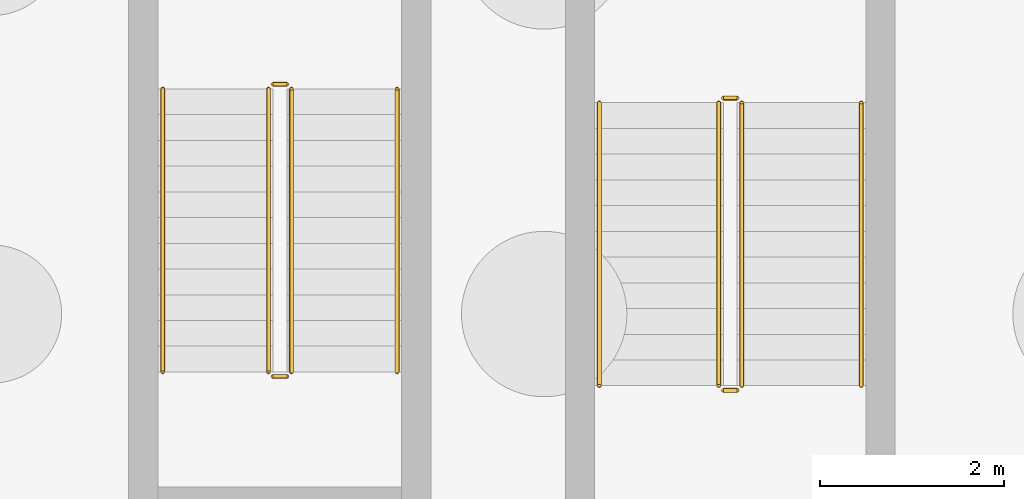
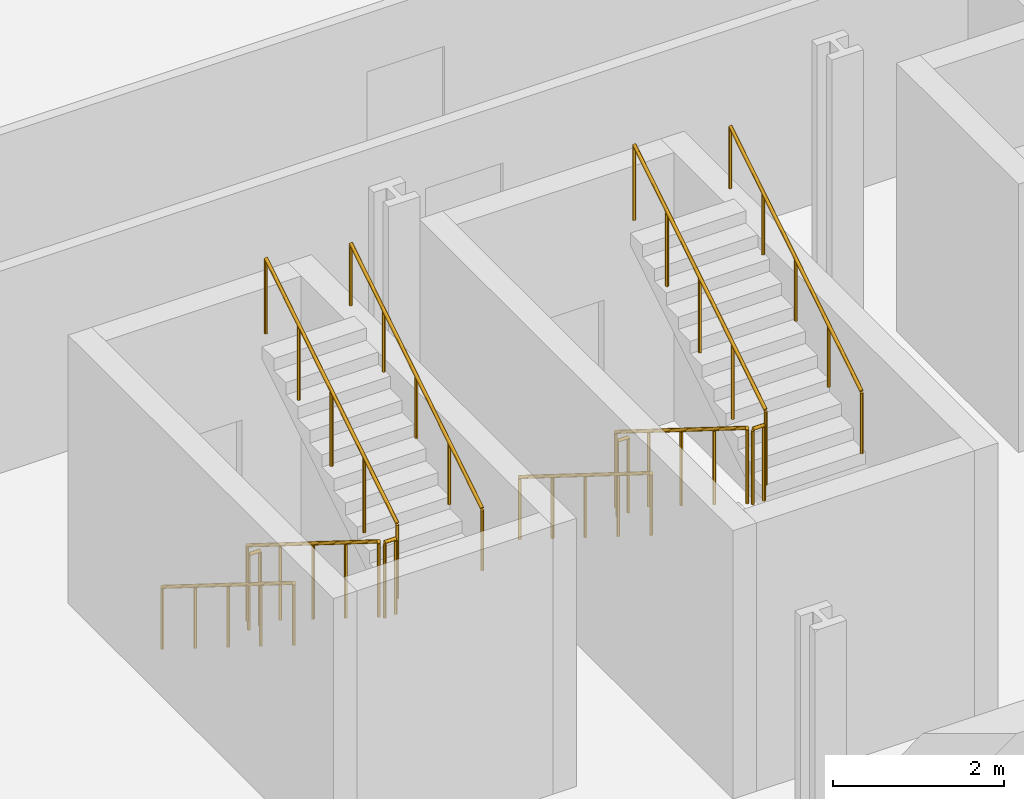
# One storey, part 5 of 7: 12 railings.
"""IFC4 building model written with IfcOpenShell, lengths in metres."""

from ifc_helpers import new_model, si_unit, direction, frame, origin, origin_2d, place, context, subcontext, project, spatial, circle, extrude, material, type_object, element, save


model = new_model("IFC4")

# Units and contexts
model_context = context("Model", 3, precision=1e-05, world=origin(), true_north=direction((0.0, 1.0)))
body_context = subcontext(model_context, "Body", "Model", "MODEL_VIEW")
ifc_project = project(units=[si_unit("LENGTHUNIT", "METRE"), si_unit("AREAUNIT", "SQUARE_METRE"), si_unit("VOLUMEUNIT", "CUBIC_METRE"), si_unit("PLANEANGLEUNIT", "RADIAN"), si_unit("MASSUNIT", "GRAM", prefix="KILO")], contexts=[model_context])

# Site, building, storey
site_placement = place(None, origin())
site = spatial("IfcSite", under=ifc_project, at=site_placement, CompositionType="ELEMENT")
building_placement = place(site_placement, origin())
building = spatial("IfcBuilding", under=site, at=building_placement, Name="Brevholm Reach", CompositionType="ELEMENT")
storey_placement = place(building_placement, frame((0.0, 0.0, -8.39990234375)))
storey = spatial("IfcBuildingStorey", under=building, at=storey_placement, Name="B02", CompositionType="ELEMENT", Elevation=-8.39990234375)

# Railings
ifc_material_1 = material(Name="Brushed Stainless Steel EN 1.4401 Continuous Handrail", Category="steel")
railing_type_1 = type_object("IfcRailingType", Name="RAL-HND-950", PredefinedType="HANDRAIL", material=ifc_material_1)
railing_1_placement = place(storey_placement, frame((12.60009765625, 8.10009765625, 0.1748046875)))
element("IfcRailing", 1, at=railing_1_placement, inside=storey, type_object=railing_type_1, Name="B02 ST-1 stair handrail 1", PredefinedType="HANDRAIL", context=body_context, shape_type="SweptSolid", body=[
    extrude(circle(Radius=0.02392578125, at=origin_2d()), frame((0.0, 0.0, 0.8857421875), z_axis=(0.0, -0.847998304005, 0.529998940003), x_axis=(1.0, 0.0, 0.0)), (0.0, 0.0, 1.0), 3.632080078125),
    extrude(circle(Radius=0.02099609375, at=origin_2d()), origin(), (0.0, 0.0, 1.0), 0.86181640625),
    extrude(circle(Radius=0.02099609375, at=origin_2d()), frame((0.0, -0.77001953125, 0.481201171875)), (0.0, 0.0, 1.0), 0.86181640625),
    extrude(circle(Radius=0.02099609375, at=origin_2d()), frame((0.0, -1.5400390625, 0.96240234375)), (0.0, 0.0, 1.0), 0.86181640625),
    extrude(circle(Radius=0.02099609375, at=origin_2d()), frame((0.0, -2.31005859375, 1.44384765625)), (0.0, 0.0, 1.0), 0.86181640625),
    extrude(circle(Radius=0.02099609375, at=origin_2d()), frame((0.0, -3.080078125, 1.925048828125)), (0.0, 0.0, 1.0), 0.86181640625),
])
railing_2_placement = place(storey_placement, frame((15.449951171875, 5.02001953125, 2.27490234375)))
element("IfcRailing", 2, at=railing_2_placement, inside=storey, type_object=railing_type_1, Name="B02 ST-1 stair handrail 2", PredefinedType="HANDRAIL", context=body_context, shape_type="SweptSolid", body=[
    extrude(circle(Radius=0.02392578125, at=origin_2d()), frame((0.0, 0.0, 0.8857421875), z_axis=(0.0, 0.847998304005, 0.529998940003), x_axis=(-1.0, 0.0, 0.0)), (0.0, 0.0, 1.0), 3.632080078125),
    extrude(circle(Radius=0.02099609375, at=origin_2d()), origin(), (0.0, 0.0, 1.0), 0.86181640625),
    extrude(circle(Radius=0.02099609375, at=origin_2d()), frame((0.0, 0.77001953125, 0.481201171875)), (0.0, 0.0, 1.0), 0.86181640625),
    extrude(circle(Radius=0.02099609375, at=origin_2d()), frame((0.0, 1.5400390625, 0.96240234375)), (0.0, 0.0, 1.0), 0.86181640625),
    extrude(circle(Radius=0.02099609375, at=origin_2d()), frame((0.0, 2.31005859375, 1.44384765625)), (0.0, 0.0, 1.0), 0.86181640625),
    extrude(circle(Radius=0.02099609375, at=origin_2d()), frame((0.0, 3.080078125, 1.925048828125)), (0.0, 0.0, 1.0), 0.86181640625),
])
railing_3_placement = place(storey_placement, frame((7.85009765625, 8.25, 0.1748046875)))
element("IfcRailing", 3, at=railing_3_placement, inside=storey, type_object=railing_type_1, Name="B02 ST-B1 stair handrail 1", PredefinedType="HANDRAIL", context=body_context, shape_type="SweptSolid", body=[
    extrude(circle(Radius=0.02392578125, at=origin_2d()), frame((0.0, 0.0, 0.8857421875), z_axis=(0.0, -0.847998304005, 0.529998940003), x_axis=(1.0, 0.0, 0.0)), (0.0, 0.0, 1.0), 3.632080078125),
    extrude(circle(Radius=0.02099609375, at=origin_2d()), origin(), (0.0, 0.0, 1.0), 0.86181640625),
    extrude(circle(Radius=0.02099609375, at=origin_2d()), frame((0.0, -0.77001953125, 0.481201171875)), (0.0, 0.0, 1.0), 0.86181640625),
    extrude(circle(Radius=0.02099609375, at=origin_2d()), frame((0.0, -1.5400390625, 0.96240234375)), (0.0, 0.0, 1.0), 0.86181640625),
    extrude(circle(Radius=0.02099609375, at=origin_2d()), frame((0.0, -2.31005859375, 1.44384765625)), (0.0, 0.0, 1.0), 0.86181640625),
    extrude(circle(Radius=0.02099609375, at=origin_2d()), frame((0.0, -3.080078125, 1.925048828125)), (0.0, 0.0, 1.0), 0.86181640625),
])
railing_4_placement = place(storey_placement, frame((10.39990234375, 5.169921875, 2.27490234375)))
element("IfcRailing", 4, at=railing_4_placement, inside=storey, type_object=railing_type_1, Name="B02 ST-B1 stair handrail 2", PredefinedType="HANDRAIL", context=body_context, shape_type="SweptSolid", body=[
    extrude(circle(Radius=0.02392578125, at=origin_2d()), frame((0.0, 0.0, 0.8857421875), z_axis=(0.0, 0.847998304005, 0.529998940003), x_axis=(-1.0, 0.0, 0.0)), (0.0, 0.0, 1.0), 3.632080078125),
    extrude(circle(Radius=0.02099609375, at=origin_2d()), origin(), (0.0, 0.0, 1.0), 0.86181640625),
    extrude(circle(Radius=0.02099609375, at=origin_2d()), frame((0.0, 0.77001953125, 0.481201171875)), (0.0, 0.0, 1.0), 0.86181640625),
    extrude(circle(Radius=0.02099609375, at=origin_2d()), frame((0.0, 1.5400390625, 0.96240234375)), (0.0, 0.0, 1.0), 0.86181640625),
    extrude(circle(Radius=0.02099609375, at=origin_2d()), frame((0.0, 2.31005859375, 1.44384765625)), (0.0, 0.0, 1.0), 0.86181640625),
    extrude(circle(Radius=0.02099609375, at=origin_2d()), frame((0.0, 3.080078125, 1.925048828125)), (0.0, 0.0, 1.0), 0.86181640625),
])
ifc_material_2 = material(Name="Painted Tubular Galvanised Steel S275JR Stair Guard", Category="steel")
railing_type_2 = type_object("IfcRailingType", Name="RAL-STG-1120", PredefinedType="BALUSTRADE", material=ifc_material_2)
railing_5_placement = place(storey_placement, frame((13.89990234375, 8.10009765625, 0.1748046875)))
element("IfcRailing", 5, at=railing_5_placement, inside=storey, type_object=railing_type_2, Name="B02 ST-1 stair guard 1", PredefinedType="BALUSTRADE", context=body_context, shape_type="SweptSolid", body=[
    extrude(circle(Radius=0.02392578125, at=origin_2d()), frame((0.0, 0.0, 1.076171875), z_axis=(0.0, -0.847998304005, 0.529998940003), x_axis=(1.0, 0.0, 0.0)), (0.0, 0.0, 1.0), 3.632080078125),
    extrude(circle(Radius=0.02099609375, at=origin_2d()), origin(), (0.0, 0.0, 1.0), 1.052001953125),
    extrude(circle(Radius=0.02099609375, at=origin_2d()), frame((0.0, -0.77001953125, 0.481201171875)), (0.0, 0.0, 1.0), 1.052001953125),
    extrude(circle(Radius=0.02099609375, at=origin_2d()), frame((0.0, -1.5400390625, 0.96240234375)), (0.0, 0.0, 1.0), 1.052001953125),
    extrude(circle(Radius=0.02099609375, at=origin_2d()), frame((0.0, -2.31005859375, 1.44384765625)), (0.0, 0.0, 1.0), 1.052001953125),
    extrude(circle(Radius=0.02099609375, at=origin_2d()), frame((0.0, -3.080078125, 1.925048828125)), (0.0, 0.0, 1.0), 1.052001953125),
])
railing_6_placement = place(storey_placement, frame((13.949951171875, 4.969970703125, 2.099853515625)))
element("IfcRailing", 6, at=railing_6_placement, inside=storey, type_object=railing_type_2, Name="B02 ST-1 stair guard 2", PredefinedType="BALUSTRADE", context=body_context, shape_type="SweptSolid", body=[
    extrude(circle(Radius=0.02392578125, at=origin_2d()), frame((0.0, 0.0, 1.076171875), z_axis=(1.0, 0.0, 0.0), x_axis=(0.0, 1.0, 0.0)), (0.0, 0.0, 1.0), 0.150146484375),
    extrude(circle(Radius=0.02099609375, at=origin_2d()), origin(), (0.0, 0.0, 1.0), 1.052001953125),
    extrude(circle(Radius=0.02099609375, at=origin_2d()), frame((0.150146484375, 0.0, 0.0)), (0.0, 0.0, 1.0), 1.052001953125),
])
railing_7_placement = place(storey_placement, frame((14.14990234375, 5.02001953125, 2.27490234375)))
element("IfcRailing", 7, at=railing_7_placement, inside=storey, type_object=railing_type_2, Name="B02 ST-1 stair guard 3", PredefinedType="BALUSTRADE", context=body_context, shape_type="SweptSolid", body=[
    extrude(circle(Radius=0.02392578125, at=origin_2d()), frame((0.0, 0.0, 1.076171875), z_axis=(0.0, 0.847998304005, 0.529998940003), x_axis=(-1.0, 0.0, 0.0)), (0.0, 0.0, 1.0), 3.632080078125),
    extrude(circle(Radius=0.02099609375, at=origin_2d()), origin(), (0.0, 0.0, 1.0), 1.052001953125),
    extrude(circle(Radius=0.02099609375, at=origin_2d()), frame((0.0, 0.77001953125, 0.481201171875)), (0.0, 0.0, 1.0), 1.052001953125),
    extrude(circle(Radius=0.02099609375, at=origin_2d()), frame((0.0, 1.5400390625, 0.96240234375)), (0.0, 0.0, 1.0), 1.052001953125),
    extrude(circle(Radius=0.02099609375, at=origin_2d()), frame((0.0, 2.31005859375, 1.44384765625)), (0.0, 0.0, 1.0), 1.052001953125),
    extrude(circle(Radius=0.02099609375, at=origin_2d()), frame((0.0, 3.080078125, 1.925048828125)), (0.0, 0.0, 1.0), 1.052001953125),
])
railing_8_placement = place(storey_placement, frame((13.949951171875, 8.14990234375, 0.0)))
element("IfcRailing", 8, at=railing_8_placement, inside=storey, type_object=railing_type_2, Name="B02 ST-1 stair guard 4", PredefinedType="BALUSTRADE", context=body_context, shape_type="SweptSolid", body=[
    extrude(circle(Radius=0.02392578125, at=origin_2d()), frame((0.0, 0.0, 1.076171875), z_axis=(1.0, 0.0, 0.0), x_axis=(0.0, 1.0, 0.0)), (0.0, 0.0, 1.0), 0.150146484375),
    extrude(circle(Radius=0.02099609375, at=origin_2d()), origin(), (0.0, 0.0, 1.0), 1.052001953125),
    extrude(circle(Radius=0.02099609375, at=origin_2d()), frame((0.150146484375, 0.0, 0.0)), (0.0, 0.0, 1.0), 1.052001953125),
])
railing_9_placement = place(storey_placement, frame((9.0, 8.25, 0.1748046875)))
element("IfcRailing", 9, at=railing_9_placement, inside=storey, type_object=railing_type_2, Name="B02 ST-B1 stair guard 1", PredefinedType="BALUSTRADE", context=body_context, shape_type="SweptSolid", body=[
    extrude(circle(Radius=0.02392578125, at=origin_2d()), frame((0.0, 0.0, 1.076171875), z_axis=(0.0, -0.847998304005, 0.529998940003), x_axis=(1.0, 0.0, 0.0)), (0.0, 0.0, 1.0), 3.632080078125),
    extrude(circle(Radius=0.02099609375, at=origin_2d()), origin(), (0.0, 0.0, 1.0), 1.052001953125),
    extrude(circle(Radius=0.02099609375, at=origin_2d()), frame((0.0, -0.77001953125, 0.481201171875)), (0.0, 0.0, 1.0), 1.052001953125),
    extrude(circle(Radius=0.02099609375, at=origin_2d()), frame((0.0, -1.5400390625, 0.96240234375)), (0.0, 0.0, 1.0), 1.052001953125),
    extrude(circle(Radius=0.02099609375, at=origin_2d()), frame((0.0, -2.31005859375, 1.44384765625)), (0.0, 0.0, 1.0), 1.052001953125),
    extrude(circle(Radius=0.02099609375, at=origin_2d()), frame((0.0, -3.080078125, 1.925048828125)), (0.0, 0.0, 1.0), 1.052001953125),
])
railing_10_placement = place(storey_placement, frame((9.050048828125, 5.1201171875, 2.099853515625)))
element("IfcRailing", 10, at=railing_10_placement, inside=storey, type_object=railing_type_2, Name="B02 ST-B1 stair guard 2", PredefinedType="BALUSTRADE", context=body_context, shape_type="SweptSolid", body=[
    extrude(circle(Radius=0.02392578125, at=origin_2d()), frame((0.0, 0.0, 1.076171875), z_axis=(1.0, 0.0, 0.0), x_axis=(0.0, 1.0, 0.0)), (0.0, 0.0, 1.0), 0.14990234375),
    extrude(circle(Radius=0.02099609375, at=origin_2d()), origin(), (0.0, 0.0, 1.0), 1.052001953125),
    extrude(circle(Radius=0.02099609375, at=origin_2d()), frame((0.14990234375, 0.0, 0.0)), (0.0, 0.0, 1.0), 1.052001953125),
])
railing_11_placement = place(storey_placement, frame((9.25, 5.169921875, 2.27490234375)))
element("IfcRailing", 11, at=railing_11_placement, inside=storey, type_object=railing_type_2, Name="B02 ST-B1 stair guard 3", PredefinedType="BALUSTRADE", context=body_context, shape_type="SweptSolid", body=[
    extrude(circle(Radius=0.02392578125, at=origin_2d()), frame((0.0, 0.0, 1.076171875), z_axis=(0.0, 0.847998304005, 0.529998940003), x_axis=(-1.0, 0.0, 0.0)), (0.0, 0.0, 1.0), 3.632080078125),
    extrude(circle(Radius=0.02099609375, at=origin_2d()), origin(), (0.0, 0.0, 1.0), 1.052001953125),
    extrude(circle(Radius=0.02099609375, at=origin_2d()), frame((0.0, 0.77001953125, 0.481201171875)), (0.0, 0.0, 1.0), 1.052001953125),
    extrude(circle(Radius=0.02099609375, at=origin_2d()), frame((0.0, 1.5400390625, 0.96240234375)), (0.0, 0.0, 1.0), 1.052001953125),
    extrude(circle(Radius=0.02099609375, at=origin_2d()), frame((0.0, 2.31005859375, 1.44384765625)), (0.0, 0.0, 1.0), 1.052001953125),
    extrude(circle(Radius=0.02099609375, at=origin_2d()), frame((0.0, 3.080078125, 1.925048828125)), (0.0, 0.0, 1.0), 1.052001953125),
])
railing_12_placement = place(storey_placement, frame((9.050048828125, 8.300048828125, 0.0)))
element("IfcRailing", 12, at=railing_12_placement, inside=storey, type_object=railing_type_2, Name="B02 ST-B1 stair guard 4", PredefinedType="BALUSTRADE", context=body_context, shape_type="SweptSolid", body=[
    extrude(circle(Radius=0.02392578125, at=origin_2d()), frame((0.0, 0.0, 1.076171875), z_axis=(1.0, 0.0, 0.0), x_axis=(0.0, 1.0, 0.0)), (0.0, 0.0, 1.0), 0.14990234375),
    extrude(circle(Radius=0.02099609375, at=origin_2d()), origin(), (0.0, 0.0, 1.0), 1.052001953125),
    extrude(circle(Radius=0.02099609375, at=origin_2d()), frame((0.14990234375, 0.0, 0.0)), (0.0, 0.0, 1.0), 1.052001953125),
])

save(model, "model.ifc")
